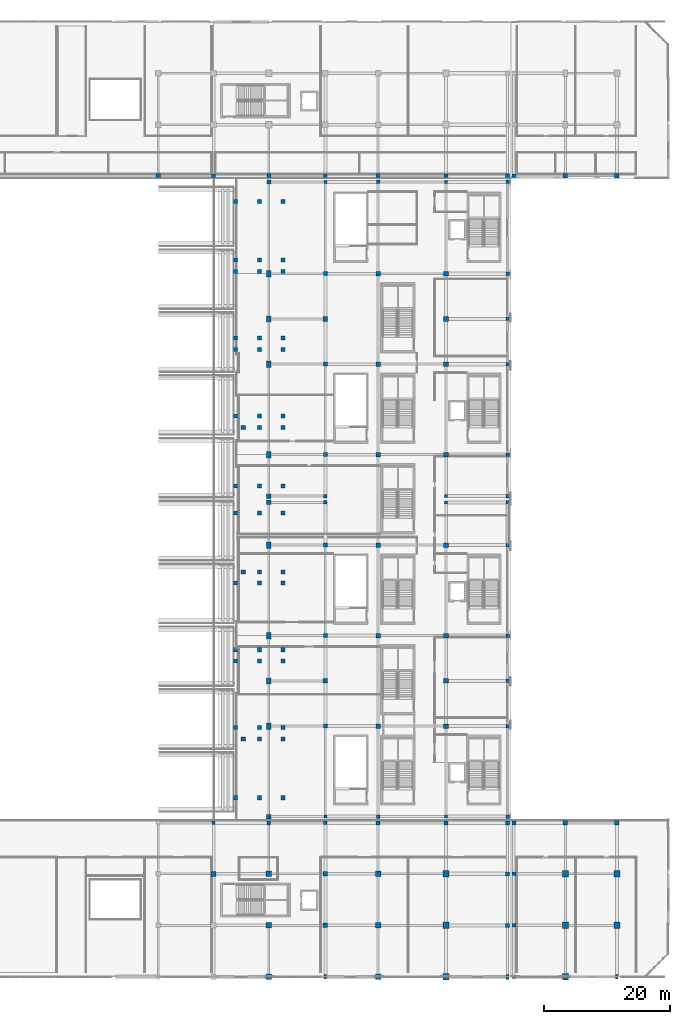
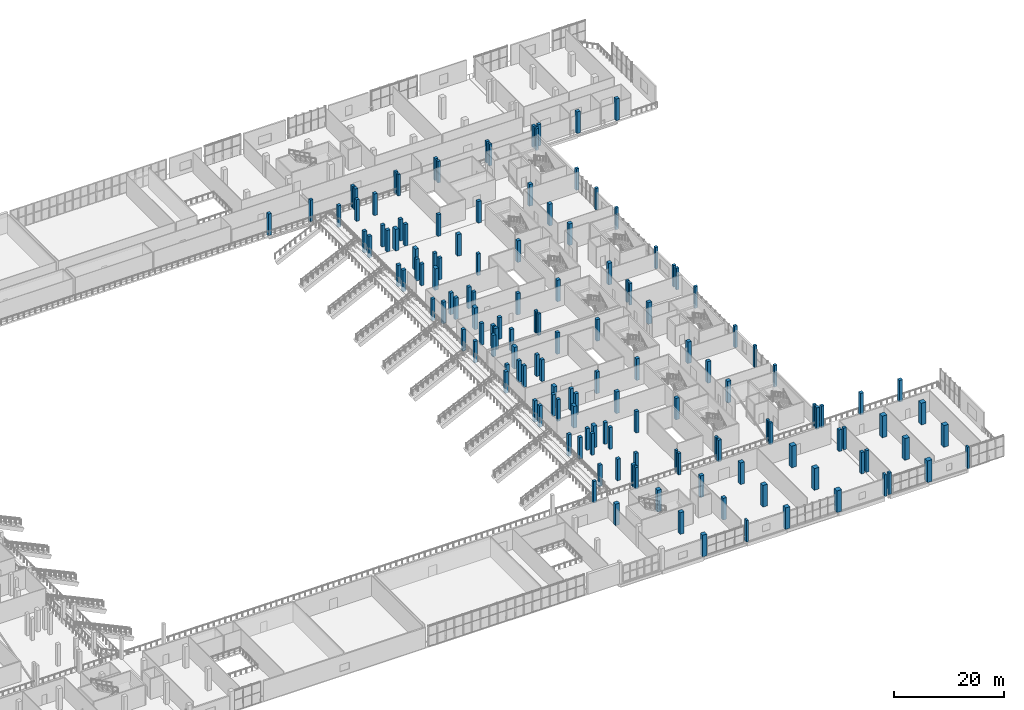
# One storey, part 9 of 129: 148 columns.
"""IFC4 building model written with IfcOpenShell, lengths in metres."""

from ifc_helpers import new_model, si_unit, direction, frame, origin, origin_2d, place, context, subcontext, project, spatial, rectangle, extrude, material, material_profile, profile_set, type_object, element, save


model = new_model("IFC4")

# Units and contexts
model_context = context("Model", 3, precision=1e-05, world=origin(), true_north=direction((0.0, 1.0)))
body_context = subcontext(model_context, "Body", "Model", "MODEL_VIEW")
ifc_project = project(units=[si_unit("LENGTHUNIT", "METRE"), si_unit("AREAUNIT", "SQUARE_METRE"), si_unit("VOLUMEUNIT", "CUBIC_METRE"), si_unit("PLANEANGLEUNIT", "RADIAN"), si_unit("MASSUNIT", "GRAM", prefix="KILO")], contexts=[model_context])

# Site, building, storey
site_placement = place(None, origin())
site = spatial("IfcSite", under=ifc_project, at=site_placement, CompositionType="ELEMENT")
building_placement = place(site_placement, origin())
building = spatial("IfcBuilding", under=site, at=building_placement, Name="Koshinbarg Plaza Stadium", CompositionType="ELEMENT")
storey_placement = place(building_placement, frame((0.0, 0.0, 5.39990234375)))
storey = spatial("IfcBuildingStorey", under=building, at=storey_placement, Name="L01", CompositionType="ELEMENT", Elevation=5.39990234375)

# Columns
ifc_material = material(Name="Concrete C40/50", Category="concrete")
ifc_material_profile_1 = material_profile(ifc_material, rectangle(XDim=0.39990234375, YDim=0.699951171875, at=origin_2d()), Name="PIL 400x700")
ifc_profile_set_1 = profile_set([ifc_material_profile_1], Name="Concrete C40/50")
column_type_1 = type_object("IfcColumnType", Name="COL-PIL-01", PredefinedType="PILASTER", material=ifc_profile_set_1)
for number, where, z_axis, x_axis, name in (
    (1, (189.39990234375, 0.0, 0.0), (0.0, 0.0, 1.0), (1.0, 0.0, 0.0), "L01 column 18/A"),
    (2, (235.800048828125, 0.0, 0.0), (0.0, 0.0, 1.0), (1.0, 0.0, 0.0), "L01 column 24/A"),
):
    element("IfcColumn", number, at=place(storey_placement, frame(where, z_axis=z_axis, x_axis=x_axis)), inside=storey, type_object=column_type_1, Name=name, PredefinedType="PILASTER", context=body_context, shape_type="SweptSolid", body=[
        extrude(rectangle(XDim=0.39990234375, YDim=0.699951171875, at=origin_2d()), origin(), (0.0, 0.0, 1.0), 4.800048828125),
    ])
ifc_material_profile_2 = material_profile(ifc_material, rectangle(XDim=0.449951171875, YDim=0.800048828125, at=origin_2d()), Name="PIL 450x800")
ifc_profile_set_2 = profile_set([ifc_material_profile_2], Name="Concrete C40/50")
column_type_2 = type_object("IfcColumnType", Name="COL-PIL-02", PredefinedType="PILASTER", material=ifc_profile_set_2)
column_1_placement = place(storey_placement, frame((218.39990234375, 0.0, 0.0), z_axis=(0.0, 0.0, 1.0), x_axis=(1.0, 0.0, 0.0)))
element("IfcColumn", 3, at=column_1_placement, inside=storey, type_object=column_type_2, Name="L01 column 21/A", PredefinedType="PILASTER", context=body_context, shape_type="SweptSolid", body=[
    extrude(rectangle(XDim=0.449951171875, YDim=0.800048828125, at=origin_2d()), origin(), (0.0, 0.0, 1.0), 4.800048828125),
])
ifc_material_profile_3 = material_profile(ifc_material, rectangle(XDim=0.5, YDim=0.5, at=origin_2d()), Name="RC 500x500")
ifc_profile_set_3 = profile_set([ifc_material_profile_3], Name="Concrete C40/50")
column_type_3 = type_object("IfcColumnType", Name="COL-RC-02", PredefinedType="COLUMN", material=ifc_profile_set_3)
for number, where, z_axis, x_axis, name in (
    (4, (189.39990234375, 25.5, 0.0), (0.0, 0.0, 1.0), (1.0, 0.0, 0.0), "L01 column 18/E"),
    (5, (189.39990234375, 126.5, 0.0), (0.0, 0.0, 1.0), (1.0, 0.0, 0.0), "L01 column 18/R"),
    (6, (208.60009765625, 25.5, 0.0), (0.0, 0.0, 1.0), (1.0, 0.0, 0.0), "L01 column 20/E"),
    (7, (208.60009765625, 75.5, 0.0), (0.0, 0.0, 1.0), (1.0, 0.0, 0.0), "L01 column 20/K"),
    (8, (208.60009765625, 76.5, 0.0), (0.0, 0.0, 1.0), (1.0, 0.0, 0.0), "L01 column 20/L"),
    (9, (208.60009765625, 126.5, 0.0), (0.0, 0.0, 1.0), (1.0, 0.0, 0.0), "L01 column 20/R"),
):
    element("IfcColumn", number, at=place(storey_placement, frame(where, z_axis=z_axis, x_axis=x_axis)), inside=storey, type_object=column_type_3, Name=name, PredefinedType="COLUMN", context=body_context, shape_type="SweptSolid", body=[
        extrude(rectangle(XDim=0.5, YDim=0.5, at=origin_2d()), origin(), (0.0, 0.0, 1.0), 4.800048828125),
    ])
ifc_material_profile_4 = material_profile(ifc_material, rectangle(XDim=0.550048828125, YDim=0.550048828125, at=origin_2d()), Name="RC 550x550")
ifc_profile_set_4 = profile_set([ifc_material_profile_4], Name="Concrete C40/50")
column_type_4 = type_object("IfcColumnType", Name="COL-RC-03", PredefinedType="COLUMN", material=ifc_profile_set_4)
for number, where, z_axis, x_axis, name in (
    (10, (171.60009765625, 24.5, 0.0), (0.0, 0.0, 1.0), (1.0, 0.0, 0.0), "L01 column 16/D"),
    (11, (189.39990234375, 24.5, 0.0), (0.0, 0.0, 1.0), (1.0, 0.0, 0.0), "L01 column 18/D"),
    (12, (189.39990234375, 75.5, 0.0), (0.0, 0.0, 1.0), (1.0, 0.0, 0.0), "L01 column 18/K"),
    (13, (189.39990234375, 76.5, 0.0), (0.0, 0.0, 1.0), (1.0, 0.0, 0.0), "L01 column 18/L"),
    (14, (197.800048828125, 25.5, 0.0), (0.0, 0.0, 1.0), (1.0, 0.0, 0.0), "L01 column 19/E"),
    (15, (197.800048828125, 126.5, 0.0), (0.0, 0.0, 1.0), (1.0, 0.0, 0.0), "L01 column 19/R"),
    (16, (218.39990234375, 25.5, 0.0), (0.0, 0.0, 1.0), (1.0, 0.0, 0.0), "L01 column 21/E"),
    (17, (218.39990234375, 39.89990234375, 0.0), (0.0, 0.0, 1.0), (1.0, 0.0, 0.0), "L01 column 21/F"),
    (18, (218.39990234375, 47.10009765625, 0.0), (0.0, 0.0, 1.0), (1.0, 0.0, 0.0), "L01 column 21/G"),
    (19, (218.39990234375, 54.300048828125, 0.0), (0.0, 0.0, 1.0), (1.0, 0.0, 0.0), "L01 column 21/H"),
    (20, (218.39990234375, 68.699951171875, 0.0), (0.0, 0.0, 1.0), (1.0, 0.0, 0.0), "L01 column 21/J"),
    (21, (218.39990234375, 75.5, 0.0), (0.0, 0.0, 1.0), (1.0, 0.0, 0.0), "L01 column 21/K"),
    (22, (218.39990234375, 76.5, 0.0), (0.0, 0.0, 1.0), (1.0, 0.0, 0.0), "L01 column 21/L"),
    (23, (218.39990234375, 83.10009765625, 0.0), (0.0, 0.0, 1.0), (1.0, 0.0, 0.0), "L01 column 21/M"),
    (24, (218.39990234375, 97.5, 0.0), (0.0, 0.0, 1.0), (1.0, 0.0, 0.0), "L01 column 21/N"),
    (25, (218.39990234375, 104.699951171875, 0.0), (0.0, 0.0, 1.0), (1.0, 0.0, 0.0), "L01 column 21/P"),
    (26, (218.39990234375, 111.89990234375, 0.0), (0.0, 0.0, 1.0), (1.0, 0.0, 0.0), "L01 column 21/Q"),
    (27, (218.39990234375, 126.5, 0.0), (0.0, 0.0, 1.0), (1.0, 0.0, 0.0), "L01 column 21/R"),
):
    element("IfcColumn", number, at=place(storey_placement, frame(where, z_axis=z_axis, x_axis=x_axis)), inside=storey, type_object=column_type_4, Name=name, PredefinedType="COLUMN", context=body_context, shape_type="SweptSolid", body=[
        extrude(rectangle(XDim=0.550048828125, YDim=0.550048828125, at=origin_2d()), origin(), (0.0, 0.0, 1.0), 4.800048828125),
    ])
ifc_material_profile_5 = material_profile(ifc_material, rectangle(XDim=0.60009765625, YDim=0.60009765625, at=origin_2d()), Name="RC 600x600")
ifc_profile_set_5 = profile_set([ifc_material_profile_5], Name="Concrete C40/50")
column_type_5 = type_object("IfcColumnType", Name="COL-RC-04", PredefinedType="COLUMN", material=ifc_profile_set_5)
for number, where, z_axis, x_axis, name in (
    (28, (171.60009765625, 127.5, 0.0), (0.0, 0.0, 1.0), (1.0, 0.0, 0.0), "L01 column 16/S"),
    (29, (180.39990234375, 24.5, 0.0), (0.0, 0.0, 1.0), (1.0, 0.0, 0.0), "L01 column 17/D"),
    (30, (189.39990234375, 127.5, 0.0), (0.0, 0.0, 1.0), (1.0, 0.0, 0.0), "L01 column 18/S"),
    (31, (208.60009765625, 24.5, 0.0), (0.0, 0.0, 1.0), (1.0, 0.0, 0.0), "L01 column 20/D"),
    (32, (208.60009765625, 127.5, 0.0), (0.0, 0.0, 1.0), (1.0, 0.0, 0.0), "L01 column 20/S"),
    (33, (219.39990234375, 0.0, 0.0), (0.0, 0.0, 1.0), (1.0, 0.0, 0.0), "L01 column 22/A"),
    (34, (219.39990234375, 8.199951171875, 0.0), (0.0, 0.0, 1.0), (1.0, 0.0, 0.0), "L01 column 22/B"),
    (35, (219.39990234375, 16.39990234375, 0.0), (0.0, 0.0, 1.0), (1.0, 0.0, 0.0), "L01 column 22/C"),
    (36, (219.39990234375, 24.5, 0.0), (0.0, 0.0, 1.0), (1.0, 0.0, 0.0), "L01 column 22/D"),
    (37, (219.39990234375, 127.5, 0.0), (0.0, 0.0, 1.0), (1.0, 0.0, 0.0), "L01 column 22/S"),
):
    element("IfcColumn", number, at=place(storey_placement, frame(where, z_axis=z_axis, x_axis=x_axis)), inside=storey, type_object=column_type_5, Name=name, PredefinedType="COLUMN", context=body_context, shape_type="SweptSolid", body=[
        extrude(rectangle(XDim=0.60009765625, YDim=0.60009765625, at=origin_2d()), origin(), (0.0, 0.0, 1.0), 4.800048828125),
    ])
ifc_material_profile_6 = material_profile(ifc_material, rectangle(XDim=0.64990234375, YDim=0.64990234375, at=origin_2d()), Name="RC 650x650")
ifc_profile_set_6 = profile_set([ifc_material_profile_6], Name="Concrete C40/50")
column_type_6 = type_object("IfcColumnType", Name="COL-RC-05", PredefinedType="COLUMN", material=ifc_profile_set_6)
for number, where, z_axis, x_axis, name in (
    (38, (162.800048828125, 127.5, 0.0), (0.0, 0.0, 1.0), (1.0, 0.0, 0.0), "L01 column 15/S"),
    (39, (180.39990234375, 126.5, 0.0), (0.0, 0.0, 1.0), (1.0, 0.0, 0.0), "L01 column 17/R"),
    (40, (180.39990234375, 127.5, 0.0), (0.0, 0.0, 1.0), (1.0, 0.0, 0.0), "L01 column 17/S"),
    (41, (189.39990234375, 39.89990234375, 0.0), (0.0, 0.0, 1.0), (1.0, 0.0, 0.0), "L01 column 18/F"),
    (42, (189.39990234375, 54.300048828125, 0.0), (0.0, 0.0, 1.0), (1.0, 0.0, 0.0), "L01 column 18/H"),
    (43, (189.39990234375, 68.699951171875, 0.0), (0.0, 0.0, 1.0), (1.0, 0.0, 0.0), "L01 column 18/J"),
    (44, (189.39990234375, 83.10009765625, 0.0), (0.0, 0.0, 1.0), (1.0, 0.0, 0.0), "L01 column 18/M"),
    (45, (189.39990234375, 97.5, 0.0), (0.0, 0.0, 1.0), (1.0, 0.0, 0.0), "L01 column 18/N"),
    (46, (189.39990234375, 111.89990234375, 0.0), (0.0, 0.0, 1.0), (1.0, 0.0, 0.0), "L01 column 18/Q"),
    (47, (197.800048828125, 24.5, 0.0), (0.0, 0.0, 1.0), (1.0, 0.0, 0.0), "L01 column 19/D"),
    (48, (197.800048828125, 127.5, 0.0), (0.0, 0.0, 1.0), (1.0, 0.0, 0.0), "L01 column 19/S"),
    (49, (218.39990234375, 8.199951171875, 0.0), (0.0, 0.0, 1.0), (1.0, 0.0, 0.0), "L01 column 21/B"),
    (50, (218.39990234375, 16.39990234375, 0.0), (0.0, 0.0, 1.0), (1.0, 0.0, 0.0), "L01 column 21/C"),
    (51, (218.39990234375, 24.5, 0.0), (0.0, 0.0, 1.0), (1.0, 0.0, 0.0), "L01 column 21/D"),
    (52, (218.39990234375, 127.5, 0.0), (0.0, 0.0, 1.0), (1.0, 0.0, 0.0), "L01 column 21/S"),
    (53, (175.080078125, 28.5, 0.0), (0.0, 0.0, 1.0), (1.0, 0.0, 0.0), "L01 bowl raker column UT-E01-L-CF"),
    (54, (178.89990234375, 28.5, 0.0), (0.0, 0.0, 1.0), (1.0, 0.0, 0.0), "L01 bowl raker column UT-E01-L-CM"),
    (55, (182.659912109375, 28.5, 0.0), (0.0, 0.0, 1.0), (1.0, 0.0, 0.0), "L01 bowl raker column UT-E01-L-CB"),
    (56, (176.330078125, 37.85009765625, 0.0), (0.0, 0.0, 1.0), (1.0, 0.0, 0.0), "L01 bowl raker column UT-E01-R-CF"),
    (57, (178.89990234375, 37.85009765625, 0.0), (0.0, 0.0, 1.0), (1.0, 0.0, 0.0), "L01 bowl raker column UT-E01-R-CM"),
    (58, (182.659912109375, 37.85009765625, 0.0), (0.0, 0.0, 1.0), (1.0, 0.0, 0.0), "L01 bowl raker column UT-E01-R-CB"),
    (59, (175.080078125, 39.64990234375, 0.0), (0.0, 0.0, 1.0), (1.0, 0.0, 0.0), "L01 bowl raker column UT-E02-L-CF"),
    (60, (178.89990234375, 39.64990234375, 0.0), (0.0, 0.0, 1.0), (1.0, 0.0, 0.0), "L01 bowl raker column UT-E02-L-CM"),
    (61, (182.659912109375, 39.64990234375, 0.0), (0.0, 0.0, 1.0), (1.0, 0.0, 0.0), "L01 bowl raker column UT-E02-L-CB"),
    (62, (175.080078125, 50.25, 0.0), (0.0, 0.0, 1.0), (1.0, 0.0, 0.0), "L01 bowl raker column UT-E02-R-CF"),
    (63, (178.89990234375, 50.25, 0.0), (0.0, 0.0, 1.0), (1.0, 0.0, 0.0), "L01 bowl raker column UT-E02-R-CM"),
    (64, (182.659912109375, 50.25, 0.0), (0.0, 0.0, 1.0), (1.0, 0.0, 0.0), "L01 bowl raker column UT-E02-R-CB"),
    (65, (175.080078125, 52.050048828125, 0.0), (0.0, 0.0, 1.0), (1.0, 0.0, 0.0), "L01 bowl raker column UT-E03-L-CF"),
    (66, (178.89990234375, 52.050048828125, 0.0), (0.0, 0.0, 1.0), (1.0, 0.0, 0.0), "L01 bowl raker column UT-E03-L-CM"),
    (67, (182.659912109375, 52.050048828125, 0.0), (0.0, 0.0, 1.0), (1.0, 0.0, 0.0), "L01 bowl raker column UT-E03-L-CB"),
    (68, (175.080078125, 62.64990234375, 0.0), (0.0, 0.0, 1.0), (1.0, 0.0, 0.0), "L01 bowl raker column UT-E03-R-CF"),
    (69, (178.89990234375, 62.64990234375, 0.0), (0.0, 0.0, 1.0), (1.0, 0.0, 0.0), "L01 bowl raker column UT-E03-R-CM"),
    (70, (182.659912109375, 62.64990234375, 0.0), (0.0, 0.0, 1.0), (1.0, 0.0, 0.0), "L01 bowl raker column UT-E03-R-CB"),
    (71, (176.330078125, 64.449951171875, 0.0), (0.0, 0.0, 1.0), (1.0, 0.0, 0.0), "L01 bowl raker column UT-E04-L-CF"),
    (72, (178.89990234375, 64.449951171875, 0.0), (0.0, 0.0, 1.0), (1.0, 0.0, 0.0), "L01 bowl raker column UT-E04-L-CM"),
    (73, (182.659912109375, 64.449951171875, 0.0), (0.0, 0.0, 1.0), (1.0, 0.0, 0.0), "L01 bowl raker column UT-E04-L-CB"),
    (74, (175.080078125, 73.800048828125, 0.0), (0.0, 0.0, 1.0), (1.0, 0.0, 0.0), "L01 bowl raker column UT-E04-R-CF"),
    (75, (178.89990234375, 73.800048828125, 0.0), (0.0, 0.0, 1.0), (1.0, 0.0, 0.0), "L01 bowl raker column UT-E04-R-CM"),
    (76, (182.659912109375, 73.800048828125, 0.0), (0.0, 0.0, 1.0), (1.0, 0.0, 0.0), "L01 bowl raker column UT-E04-R-CB"),
    (77, (175.080078125, 78.10009765625, 0.0), (0.0, 0.0, 1.0), (1.0, 0.0, 0.0), "L01 bowl raker column UT-E05-L-CF"),
    (78, (178.89990234375, 78.10009765625, 0.0), (0.0, 0.0, 1.0), (1.0, 0.0, 0.0), "L01 bowl raker column UT-E05-L-CM"),
    (79, (182.659912109375, 78.10009765625, 0.0), (0.0, 0.0, 1.0), (1.0, 0.0, 0.0), "L01 bowl raker column UT-E05-L-CB"),
    (80, (176.330078125, 87.449951171875, 0.0), (0.0, 0.0, 1.0), (1.0, 0.0, 0.0), "L01 bowl raker column UT-E05-R-CF"),
    (81, (178.89990234375, 87.449951171875, 0.0), (0.0, 0.0, 1.0), (1.0, 0.0, 0.0), "L01 bowl raker column UT-E05-R-CM"),
    (82, (182.659912109375, 87.449951171875, 0.0), (0.0, 0.0, 1.0), (1.0, 0.0, 0.0), "L01 bowl raker column UT-E05-R-CB"),
    (83, (175.080078125, 89.25, 0.0), (0.0, 0.0, 1.0), (1.0, 0.0, 0.0), "L01 bowl raker column UT-E06-L-CF"),
    (84, (178.89990234375, 89.25, 0.0), (0.0, 0.0, 1.0), (1.0, 0.0, 0.0), "L01 bowl raker column UT-E06-L-CM"),
    (85, (182.659912109375, 89.25, 0.0), (0.0, 0.0, 1.0), (1.0, 0.0, 0.0), "L01 bowl raker column UT-E06-L-CB"),
    (86, (175.080078125, 99.85009765625, 0.0), (0.0, 0.0, 1.0), (1.0, 0.0, 0.0), "L01 bowl raker column UT-E06-R-CF"),
    (87, (178.89990234375, 99.85009765625, 0.0), (0.0, 0.0, 1.0), (1.0, 0.0, 0.0), "L01 bowl raker column UT-E06-R-CM"),
    (88, (182.659912109375, 99.85009765625, 0.0), (0.0, 0.0, 1.0), (1.0, 0.0, 0.0), "L01 bowl raker column UT-E06-R-CB"),
    (89, (175.080078125, 101.64990234375, 0.0), (0.0, 0.0, 1.0), (1.0, 0.0, 0.0), "L01 bowl raker column UT-E07-L-CF"),
    (90, (178.89990234375, 101.64990234375, 0.0), (0.0, 0.0, 1.0), (1.0, 0.0, 0.0), "L01 bowl raker column UT-E07-L-CM"),
    (91, (182.659912109375, 101.64990234375, 0.0), (0.0, 0.0, 1.0), (1.0, 0.0, 0.0), "L01 bowl raker column UT-E07-L-CB"),
    (92, (175.080078125, 112.25, 0.0), (0.0, 0.0, 1.0), (1.0, 0.0, 0.0), "L01 bowl raker column UT-E07-R-CF"),
    (93, (178.89990234375, 112.25, 0.0), (0.0, 0.0, 1.0), (1.0, 0.0, 0.0), "L01 bowl raker column UT-E07-R-CM"),
    (94, (182.659912109375, 112.25, 0.0), (0.0, 0.0, 1.0), (1.0, 0.0, 0.0), "L01 bowl raker column UT-E07-R-CB"),
    (95, (175.080078125, 114.050048828125, 0.0), (0.0, 0.0, 1.0), (1.0, 0.0, 0.0), "L01 bowl raker column UT-E08-L-CF"),
    (96, (178.89990234375, 114.050048828125, 0.0), (0.0, 0.0, 1.0), (1.0, 0.0, 0.0), "L01 bowl raker column UT-E08-L-CM"),
    (97, (182.659912109375, 114.050048828125, 0.0), (0.0, 0.0, 1.0), (1.0, 0.0, 0.0), "L01 bowl raker column UT-E08-L-CB"),
    (98, (175.080078125, 123.39990234375, 0.0), (0.0, 0.0, 1.0), (1.0, 0.0, 0.0), "L01 bowl raker column UT-E08-R-CF"),
    (99, (178.89990234375, 123.39990234375, 0.0), (0.0, 0.0, 1.0), (1.0, 0.0, 0.0), "L01 bowl raker column UT-E08-R-CM"),
    (100, (182.659912109375, 123.39990234375, 0.0), (0.0, 0.0, 1.0), (1.0, 0.0, 0.0), "L01 bowl raker column UT-E08-R-CB"),
):
    element("IfcColumn", number, at=place(storey_placement, frame(where, z_axis=z_axis, x_axis=x_axis)), inside=storey, type_object=column_type_6, Name=name, PredefinedType="COLUMN", context=body_context, shape_type="SweptSolid", body=[
        extrude(rectangle(XDim=0.64990234375, YDim=0.64990234375, at=origin_2d()), origin(), (0.0, 0.0, 1.0), 4.800048828125),
    ])
ifc_material_profile_7 = material_profile(ifc_material, rectangle(XDim=0.699951171875, YDim=0.699951171875, at=origin_2d()), Name="RC 700x700")
ifc_profile_set_7 = profile_set([ifc_material_profile_7], Name="Concrete C40/50")
column_type_7 = type_object("IfcColumnType", Name="COL-RC-06", PredefinedType="COLUMN", material=ifc_profile_set_7)
for number, where, z_axis, x_axis, name in (
    (101, (180.39990234375, 25.5, 0.0), (0.0, 0.0, 1.0), (1.0, 0.0, 0.0), "L01 column 17/E"),
    (102, (180.39990234375, 75.5, 0.0), (0.0, 0.0, 1.0), (1.0, 0.0, 0.0), "L01 column 17/K"),
    (103, (180.39990234375, 76.5, 0.0), (0.0, 0.0, 1.0), (1.0, 0.0, 0.0), "L01 column 17/L"),
    (104, (197.800048828125, 39.89990234375, 0.0), (0.0, 0.0, 1.0), (1.0, 0.0, 0.0), "L01 column 19/F"),
    (105, (197.800048828125, 54.300048828125, 0.0), (0.0, 0.0, 1.0), (1.0, 0.0, 0.0), "L01 column 19/H"),
    (106, (197.800048828125, 68.699951171875, 0.0), (0.0, 0.0, 1.0), (1.0, 0.0, 0.0), "L01 column 19/J"),
    (107, (197.800048828125, 83.10009765625, 0.0), (0.0, 0.0, 1.0), (1.0, 0.0, 0.0), "L01 column 19/M"),
    (108, (197.800048828125, 97.5, 0.0), (0.0, 0.0, 1.0), (1.0, 0.0, 0.0), "L01 column 19/N"),
    (109, (197.800048828125, 111.89990234375, 0.0), (0.0, 0.0, 1.0), (1.0, 0.0, 0.0), "L01 column 19/Q"),
    (110, (227.60009765625, 24.5, 0.0), (0.0, 0.0, 1.0), (1.0, 0.0, 0.0), "L01 column 23/D"),
    (111, (227.60009765625, 127.5, 0.0), (0.0, 0.0, 1.0), (1.0, 0.0, 0.0), "L01 column 23/S"),
    (112, (235.800048828125, 24.5, 0.0), (0.0, 0.0, 1.0), (1.0, 0.0, 0.0), "L01 column 24/D"),
    (113, (235.800048828125, 127.5, 0.0), (0.0, 0.0, 1.0), (1.0, 0.0, 0.0), "L01 column 24/S"),
):
    element("IfcColumn", number, at=place(storey_placement, frame(where, z_axis=z_axis, x_axis=x_axis)), inside=storey, type_object=column_type_7, Name=name, PredefinedType="COLUMN", context=body_context, shape_type="SweptSolid", body=[
        extrude(rectangle(XDim=0.699951171875, YDim=0.699951171875, at=origin_2d()), origin(), (0.0, 0.0, 1.0), 4.800048828125),
    ])
ifc_material_profile_8 = material_profile(ifc_material, rectangle(XDim=0.75, YDim=0.75, at=origin_2d()), Name="RC 750x750")
ifc_profile_set_8 = profile_set([ifc_material_profile_8], Name="Concrete C40/50")
column_type_8 = type_object("IfcColumnType", Name="COL-RC-07", PredefinedType="COLUMN", material=ifc_profile_set_8)
for number, where, z_axis, x_axis, name in (
    (114, (189.39990234375, 8.199951171875, 0.0), (0.0, 0.0, 1.0), (1.0, 0.0, 0.0), "L01 column 18/B"),
    (115, (189.39990234375, 16.39990234375, 0.0), (0.0, 0.0, 1.0), (1.0, 0.0, 0.0), "L01 column 18/C"),
    (116, (189.39990234375, 47.10009765625, 0.0), (0.0, 0.0, 1.0), (1.0, 0.0, 0.0), "L01 column 18/G"),
    (117, (189.39990234375, 104.699951171875, 0.0), (0.0, 0.0, 1.0), (1.0, 0.0, 0.0), "L01 column 18/P"),
    (118, (208.60009765625, 39.89990234375, 0.0), (0.0, 0.0, 1.0), (1.0, 0.0, 0.0), "L01 column 20/F"),
    (119, (208.60009765625, 47.10009765625, 0.0), (0.0, 0.0, 1.0), (1.0, 0.0, 0.0), "L01 column 20/G"),
    (120, (208.60009765625, 54.300048828125, 0.0), (0.0, 0.0, 1.0), (1.0, 0.0, 0.0), "L01 column 20/H"),
    (121, (208.60009765625, 68.699951171875, 0.0), (0.0, 0.0, 1.0), (1.0, 0.0, 0.0), "L01 column 20/J"),
    (122, (208.60009765625, 83.10009765625, 0.0), (0.0, 0.0, 1.0), (1.0, 0.0, 0.0), "L01 column 20/M"),
    (123, (208.60009765625, 97.5, 0.0), (0.0, 0.0, 1.0), (1.0, 0.0, 0.0), "L01 column 20/N"),
    (124, (208.60009765625, 104.699951171875, 0.0), (0.0, 0.0, 1.0), (1.0, 0.0, 0.0), "L01 column 20/P"),
    (125, (208.60009765625, 111.89990234375, 0.0), (0.0, 0.0, 1.0), (1.0, 0.0, 0.0), "L01 column 20/Q"),
):
    element("IfcColumn", number, at=place(storey_placement, frame(where, z_axis=z_axis, x_axis=x_axis)), inside=storey, type_object=column_type_8, Name=name, PredefinedType="COLUMN", context=body_context, shape_type="SweptSolid", body=[
        extrude(rectangle(XDim=0.75, YDim=0.75, at=origin_2d()), origin(), (0.0, 0.0, 1.0), 4.800048828125),
    ])
ifc_material_profile_9 = material_profile(ifc_material, rectangle(XDim=0.800048828125, YDim=0.800048828125, at=origin_2d()), Name="RC 800x800")
ifc_profile_set_9 = profile_set([ifc_material_profile_9], Name="Concrete C40/50")
column_type_9 = type_object("IfcColumnType", Name="COL-RC-08", PredefinedType="COLUMN", material=ifc_profile_set_9)
column_2_placement = place(storey_placement, frame((171.60009765625, 16.39990234375, 0.0), z_axis=(0.0, 0.0, 1.0), x_axis=(1.0, 0.0, 0.0)))
element("IfcColumn", 126, at=column_2_placement, inside=storey, type_object=column_type_9, Name="L01 column 16/C", PredefinedType="COLUMN", context=body_context, shape_type="SweptSolid", body=[
    extrude(rectangle(XDim=0.800048828125, YDim=0.800048828125, at=origin_2d()), origin(), (0.0, 0.0, 1.0), 4.800048828125),
])
ifc_material_profile_10 = material_profile(ifc_material, rectangle(XDim=0.85009765625, YDim=0.85009765625, at=origin_2d()), Name="RC 850x850")
ifc_profile_set_10 = profile_set([ifc_material_profile_10], Name="Concrete C40/50")
column_type_10 = type_object("IfcColumnType", Name="COL-RC-09", PredefinedType="COLUMN", material=ifc_profile_set_10)
for number, where, z_axis, x_axis, name in (
    (127, (180.39990234375, 0.0, 0.0), (0.0, 0.0, 1.0), (1.0, 0.0, 0.0), "L01 column 17/A"),
    (128, (180.39990234375, 8.199951171875, 0.0), (0.0, 0.0, 1.0), (1.0, 0.0, 0.0), "L01 column 17/B"),
    (129, (180.39990234375, 16.39990234375, 0.0), (0.0, 0.0, 1.0), (1.0, 0.0, 0.0), "L01 column 17/C"),
):
    element("IfcColumn", number, at=place(storey_placement, frame(where, z_axis=z_axis, x_axis=x_axis)), inside=storey, type_object=column_type_10, Name=name, PredefinedType="COLUMN", context=body_context, shape_type="SweptSolid", body=[
        extrude(rectangle(XDim=0.85009765625, YDim=0.85009765625, at=origin_2d()), origin(), (0.0, 0.0, 1.0), 4.800048828125),
    ])
ifc_material_profile_11 = material_profile(ifc_material, rectangle(XDim=0.89990234375, YDim=0.89990234375, at=origin_2d()), Name="RC 900x900")
ifc_profile_set_11 = profile_set([ifc_material_profile_11], Name="Concrete C40/50")
column_type_11 = type_object("IfcColumnType", Name="COL-RC-10", PredefinedType="COLUMN", material=ifc_profile_set_11)
for number, where, z_axis, x_axis, name in (
    (130, (197.800048828125, 0.0, 0.0), (0.0, 0.0, 1.0), (1.0, 0.0, 0.0), "L01 column 19/A"),
    (131, (197.800048828125, 8.199951171875, 0.0), (0.0, 0.0, 1.0), (1.0, 0.0, 0.0), "L01 column 19/B"),
    (132, (197.800048828125, 16.39990234375, 0.0), (0.0, 0.0, 1.0), (1.0, 0.0, 0.0), "L01 column 19/C"),
):
    element("IfcColumn", number, at=place(storey_placement, frame(where, z_axis=z_axis, x_axis=x_axis)), inside=storey, type_object=column_type_11, Name=name, PredefinedType="COLUMN", context=body_context, shape_type="SweptSolid", body=[
        extrude(rectangle(XDim=0.89990234375, YDim=0.89990234375, at=origin_2d()), origin(), (0.0, 0.0, 1.0), 4.800048828125),
    ])
ifc_material_profile_12 = material_profile(ifc_material, rectangle(XDim=1.0, YDim=1.0, at=origin_2d()), Name="RC 1000x1000")
ifc_profile_set_12 = profile_set([ifc_material_profile_12], Name="Concrete C40/50")
column_type_12 = type_object("IfcColumnType", Name="COL-RC-11", PredefinedType="COLUMN", material=ifc_profile_set_12)
for number, where, z_axis, x_axis, name in (
    (133, (208.60009765625, 0.0, 0.0), (0.0, 0.0, 1.0), (1.0, 0.0, 0.0), "L01 column 20/A"),
    (134, (208.60009765625, 8.199951171875, 0.0), (0.0, 0.0, 1.0), (1.0, 0.0, 0.0), "L01 column 20/B"),
    (135, (208.60009765625, 16.39990234375, 0.0), (0.0, 0.0, 1.0), (1.0, 0.0, 0.0), "L01 column 20/C"),
    (136, (227.60009765625, 0.0, 0.0), (0.0, 0.0, 1.0), (1.0, 0.0, 0.0), "L01 column 23/A"),
    (137, (227.60009765625, 8.199951171875, 0.0), (0.0, 0.0, 1.0), (1.0, 0.0, 0.0), "L01 column 23/B"),
    (138, (227.60009765625, 16.39990234375, 0.0), (0.0, 0.0, 1.0), (1.0, 0.0, 0.0), "L01 column 23/C"),
    (139, (235.800048828125, 8.199951171875, 0.0), (0.0, 0.0, 1.0), (1.0, 0.0, 0.0), "L01 column 24/B"),
    (140, (235.800048828125, 16.39990234375, 0.0), (0.0, 0.0, 1.0), (1.0, 0.0, 0.0), "L01 column 24/C"),
):
    element("IfcColumn", number, at=place(storey_placement, frame(where, z_axis=z_axis, x_axis=x_axis)), inside=storey, type_object=column_type_12, Name=name, PredefinedType="COLUMN", context=body_context, shape_type="SweptSolid", body=[
        extrude(rectangle(XDim=1.0, YDim=1.0, at=origin_2d()), origin(), (0.0, 0.0, 1.0), 4.800048828125),
    ])
ifc_material_profile_13 = material_profile(ifc_material, rectangle(XDim=0.699951171875, YDim=1.0, at=origin_2d()), Name="RC 700x1000")
ifc_profile_set_13 = profile_set([ifc_material_profile_13], Name="Concrete C40/50")
column_type_13 = type_object("IfcColumnType", Name="COL-RC-13", PredefinedType="COLUMN", material=ifc_profile_set_13)
for number, where, z_axis, x_axis, name in (
    (141, (180.39990234375, 39.89990234375, 0.0), (0.0, 0.0, 1.0), (1.0, 0.0, 0.0), "L01 column 17/F"),
    (142, (180.39990234375, 47.10009765625, 0.0), (0.0, 0.0, 1.0), (1.0, 0.0, 0.0), "L01 column 17/G"),
    (143, (180.39990234375, 54.300048828125, 0.0), (0.0, 0.0, 1.0), (1.0, 0.0, 0.0), "L01 column 17/H"),
    (144, (180.39990234375, 68.699951171875, 0.0), (0.0, 0.0, 1.0), (1.0, 0.0, 0.0), "L01 column 17/J"),
    (145, (180.39990234375, 83.10009765625, 0.0), (0.0, 0.0, 1.0), (1.0, 0.0, 0.0), "L01 column 17/M"),
    (146, (180.39990234375, 97.5, 0.0), (0.0, 0.0, 1.0), (1.0, 0.0, 0.0), "L01 column 17/N"),
    (147, (180.39990234375, 104.699951171875, 0.0), (0.0, 0.0, 1.0), (1.0, 0.0, 0.0), "L01 column 17/P"),
    (148, (180.39990234375, 111.89990234375, 0.0), (0.0, 0.0, 1.0), (1.0, 0.0, 0.0), "L01 column 17/Q"),
):
    element("IfcColumn", number, at=place(storey_placement, frame(where, z_axis=z_axis, x_axis=x_axis)), inside=storey, type_object=column_type_13, Name=name, PredefinedType="COLUMN", context=body_context, shape_type="SweptSolid", body=[
        extrude(rectangle(XDim=0.699951171875, YDim=1.0, at=origin_2d()), origin(), (0.0, 0.0, 1.0), 4.800048828125),
    ])

save(model, "model.ifc")
